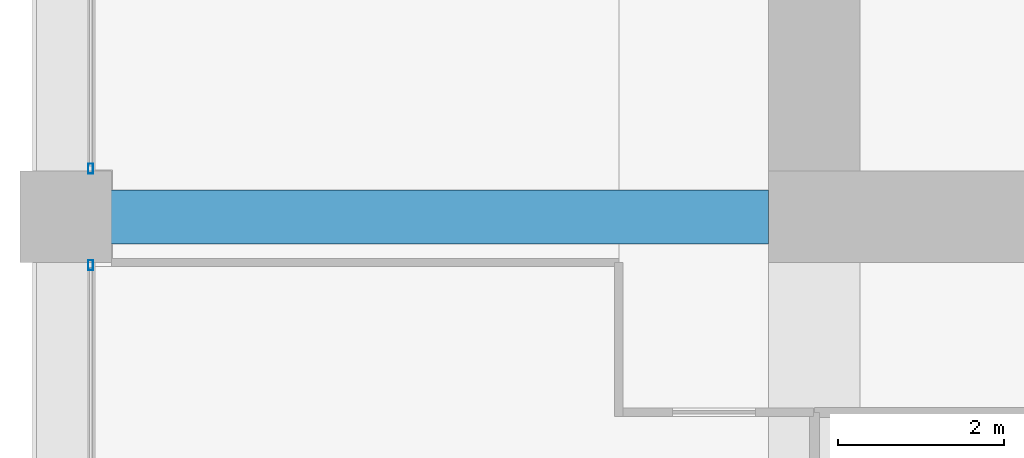
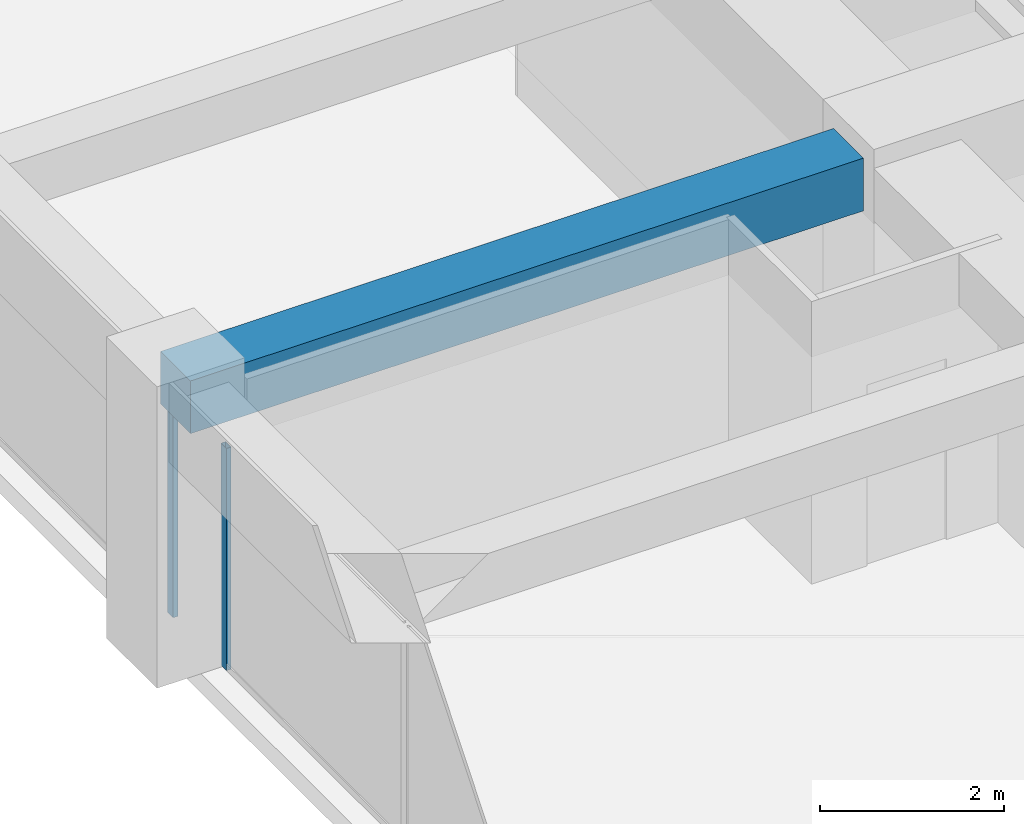
# One storey, part 13 of 44: 2 members, 1 beam, 2 elements without a shape of their own.
"""IFC4 building model written with IfcOpenShell, lengths in metres."""

from ifc_helpers import new_model, si_unit, direction, frame, origin, origin_2d, place, context, subcontext, project, spatial, rectangle, hollow_rectangle, extrude, material, material_profile, profile_set, type_object, element, aggregate, save


model = new_model("IFC4")

# Units and contexts
model_context = context("Model", 3, precision=1e-05, world=origin(), true_north=direction((0.0, 1.0)))
body_context = subcontext(model_context, "Body", "Model", "MODEL_VIEW")
ifc_project = project(units=[si_unit("LENGTHUNIT", "METRE"), si_unit("AREAUNIT", "SQUARE_METRE"), si_unit("VOLUMEUNIT", "CUBIC_METRE"), si_unit("PLANEANGLEUNIT", "RADIAN"), si_unit("MASSUNIT", "GRAM", prefix="KILO")], contexts=[model_context])

# Site, building, storey
site_placement = place(None, origin())
site = spatial("IfcSite", under=ifc_project, at=site_placement, CompositionType="ELEMENT")
building_placement = place(site_placement, origin())
building = spatial("IfcBuilding", under=site, at=building_placement, Name="Zorevar Civic Tower", CompositionType="ELEMENT")
storey_placement = place(building_placement, frame((0.0, 0.0, 251.39990234375)))
storey = spatial("IfcBuildingStorey", under=building, at=storey_placement, Name="L61", CompositionType="ELEMENT", Elevation=251.39990234375)

# Beam
ifc_material_1 = material(Name="Concrete C50/60", Category="concrete")
ifc_material_profile_1 = material_profile(ifc_material_1, rectangle(XDim=0.64990234375, YDim=0.699951171875, at=origin_2d()), Name="RC 650x700")
ifc_profile_set_1 = profile_set([ifc_material_profile_1], Name="Concrete C50/60")
beam_type = type_object("IfcBeamType", Name="Beam RC 650x700", PredefinedType="BEAM", material=ifc_profile_set_1)
beam_placement = place(storey_placement, frame((9.0, 18.0, 3.400146484375), z_axis=(1.0, 0.0, 0.0), x_axis=(0.0, 1.0, 0.0)))
element("IfcBeam", 1, at=beam_placement, inside=storey, type_object=beam_type, Name="Girder L62", PredefinedType="BEAM", context=body_context, shape_type="SweptSolid", body=[
    extrude(rectangle(XDim=0.64990234375, YDim=0.699951171875, at=origin_2d()), origin(), (0.0, 0.0, 1.0), 8.449951171875),
])

# Curtain wall, member
ifc_material_2 = material(Name="Dark grey solar-control glass in black aluminium frame", Category="aluminium")
curtain_wall_type = type_object("IfcCurtainWallType", Name="Curtain wall CW5 top zone", PredefinedType="NOTDEFINED", material=ifc_material_2)
curtain_wall_1_placement = place(storey_placement, origin())
curtain_wall_1 = element("IfcCurtainWall", 2, at=curtain_wall_1_placement, inside=storey, type_object=curtain_wall_type, Name="CW5 L61", PredefinedType="NOTDEFINED")
ifc_material_3 = material(Name="Aluminium, black anodised", Category="aluminium")
ifc_material_profile_2 = material_profile(ifc_material_3, hollow_rectangle(XDim=0.06005859375, YDim=0.1201171875, WallThickness=0.0029296875, at=origin_2d()), Name="AL 120x60x3")
ifc_profile_set_2 = profile_set([ifc_material_profile_2], Name="Aluminium, black anodised")
member_type = type_object("IfcMemberType", Name="CW5 mullion AL 120x60x3", PredefinedType="MULLION", material=ifc_profile_set_2)
member_1_placement = place(storey_placement, frame((9.300048828125, 17.419921875, 0.0), z_axis=(0.0, 0.0, 1.0), x_axis=(-1.0, 0.0, 0.0)))
member_1 = element("IfcMember", 3, at=member_1_placement, type_object=member_type, Name="CW5 mullion 3", PredefinedType="MULLION", context=body_context, shape_type="SweptSolid", body=[
    extrude(hollow_rectangle(XDim=0.06005859375, YDim=0.1201171875, WallThickness=0.0029296875, at=origin_2d()), origin(), (0.0, 0.0, 1.0), 2.9501953125),
])
aggregate(curtain_wall_1, [member_1])

curtain_wall_2_placement = place(storey_placement, origin())
curtain_wall_2 = element("IfcCurtainWall", 4, at=curtain_wall_2_placement, inside=storey, type_object=curtain_wall_type, Name="CW5 L61", PredefinedType="NOTDEFINED")
member_2_placement = place(storey_placement, frame((9.300048828125, 18.580078125, 0.0), z_axis=(0.0, 0.0, 1.0), x_axis=(-1.0, 0.0, 0.0)))
member_2 = element("IfcMember", 5, at=member_2_placement, type_object=member_type, Name="CW5 mullion 1", PredefinedType="MULLION", context=body_context, shape_type="SweptSolid", body=[
    extrude(hollow_rectangle(XDim=0.06005859375, YDim=0.1201171875, WallThickness=0.0029296875, at=origin_2d()), origin(), (0.0, 0.0, 1.0), 2.9501953125),
])
aggregate(curtain_wall_2, [member_2])

save(model, "model.ifc")
